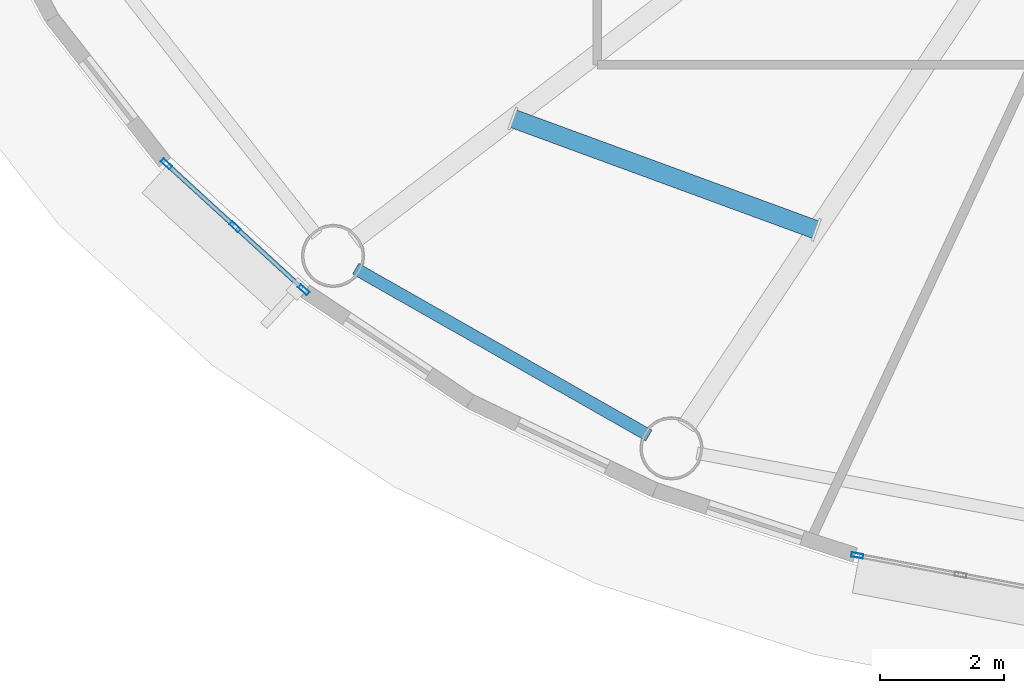
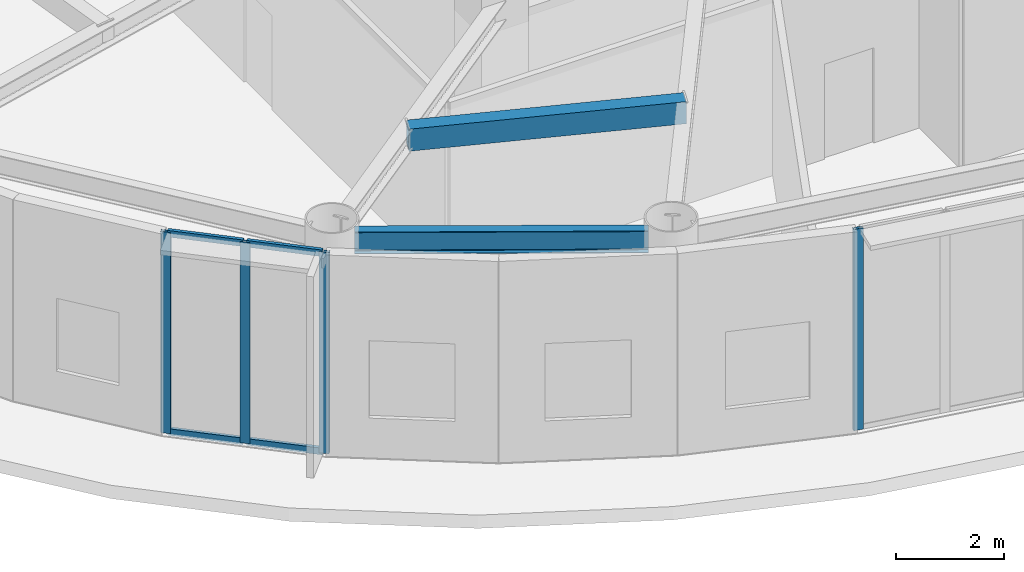
# One storey, part 3 of 32: 8 members, 2 beams, 2 elements without a shape of their own.
"""IFC4 building model written with IfcOpenShell, lengths in metres."""

from ifc_helpers import new_model, si_unit, direction, frame, origin, origin_2d, place, context, subcontext, project, spatial, hollow_rectangle, i_section, extrude, source, transform, mapped, material, layer, layer_set, material_profile, profile_set, type_object, element, aggregate, save


model = new_model("IFC4")

# Units and contexts
model_context = context("Model", 3, precision=1e-05, world=origin(), true_north=direction((0.0, 1.0)))
body_context = subcontext(model_context, "Body", "Model", "MODEL_VIEW")
ifc_project = project(units=[si_unit("LENGTHUNIT", "METRE"), si_unit("AREAUNIT", "SQUARE_METRE"), si_unit("VOLUMEUNIT", "CUBIC_METRE"), si_unit("PLANEANGLEUNIT", "RADIAN"), si_unit("MASSUNIT", "GRAM", prefix="KILO")], contexts=[model_context])

# Site, building, storey
site_placement = place(None, origin())
site = spatial("IfcSite", under=ifc_project, at=site_placement, CompositionType="ELEMENT")
building_placement = place(site_placement, origin())
building = spatial("IfcBuilding", under=site, at=building_placement, Name="Linh Dai School and Residence Tower", CompositionType="ELEMENT")
storey_placement = place(building_placement, frame((0.0, 0.0, 268.199951171875)))
storey = spatial("IfcBuildingStorey", under=building, at=storey_placement, Name="L66", CompositionType="ELEMENT", Elevation=268.199951171875)

# Beams
ifc_material_1 = material(Name="Structural Steel S355JR", Category="steel")
ifc_material_profile_1 = material_profile(ifc_material_1, hollow_rectangle(XDim=0.300048828125, YDim=0.5, WallThickness=0.01611328125, at=origin_2d()), Name="RHS 500x300x16")
ifc_profile_set_1 = profile_set([ifc_material_profile_1], Name="Structural Steel S355JR")
beam_type_1 = type_object("IfcBeamType", Name="BM-BX5", PredefinedType="BEAM", material=ifc_profile_set_1)
beam_1_placement = place(storey_placement, frame((23.5859375, 17.48388671875, 4.300048828125), z_axis=(0.938699136888, -0.344737480418, 0.0), x_axis=(0.344737480418, 0.938699136888, 0.0)))
element("IfcBeam", 1, at=beam_1_placement, inside=storey, type_object=beam_type_1, Name="L66 Secondary Circumferential Floor Beam 06", PredefinedType="BEAM", context=body_context, shape_type="SweptSolid", body=[
    extrude(hollow_rectangle(XDim=0.300048828125, YDim=0.5, WallThickness=0.01611328125, at=origin_2d()), origin(), (0.0, 0.0, 1.0), 5.21435546875),
])
ifc_material_profile_2 = material_profile(ifc_material_1, i_section(OverallWidth=0.199951171875, OverallDepth=0.5, WebThickness=0.01025390625, FlangeThickness=0.01611328125, FilletRadius=0.02099609375, at=origin_2d()), Name="IPE 500")
ifc_profile_set_2 = profile_set([ifc_material_profile_2], Name="Structural Steel S355JR")
beam_type_2 = type_object("IfcBeamType", Name="BM-RB50", PredefinedType="BEAM", material=ifc_profile_set_2)
beam_2_placement = place(storey_placement, frame((21.050048828125, 15.05908203125, 4.300048828125), z_axis=(0.869265548778, -0.494345431564, 0.0), x_axis=(0.494345431564, 0.869265548778, 0.0)))
element("IfcBeam", 2, at=beam_2_placement, inside=storey, type_object=beam_type_2, Name="L66 Perimeter Elliptical Ring Beam 11", PredefinedType="BEAM", context=body_context, shape_type="SweptSolid", body=[
    extrude(i_section(OverallWidth=0.199951171875, OverallDepth=0.5, WebThickness=0.01025390625, FlangeThickness=0.01611328125, FilletRadius=0.02099609375, at=origin_2d()), origin(), (0.0, 0.0, 1.0), 5.44189453125),
])

# Curtain wall, members
ifc_material_2 = material(Name="Aluminium Anodised Curtain Wall", Category="aluminium")
ifc_layer = layer(ifc_material_2, 0.18994140625)
ifc_layer_set = layer_set([ifc_layer], Name="Aluminium Anodised Curtain Wall")
curtain_wall_type = type_object("IfcCurtainWallType", Name="CW-SYS-5", PredefinedType="USERDEFINED", material=ifc_layer_set)
curtain_wall_1_placement = place(storey_placement, origin())
curtain_wall_1 = element("IfcCurtainWall", 3, at=curtain_wall_1_placement, inside=storey, type_object=curtain_wall_type, Name="L66 CW5 Curtain Wall 25", ObjectType="UNITISED CURTAIN WALL", PredefinedType="USERDEFINED")
ifc_material_3 = material(Name="Aluminium Alloy 6063-T6", Category="aluminium")
ifc_material_profile_3 = material_profile(ifc_material_3, hollow_rectangle(XDim=0.070068359375, YDim=0.18994140625, WallThickness=0.00390625, at=origin_2d()), Name="RHS 190x70x4")
ifc_profile_set_3 = profile_set([ifc_material_profile_3], Name="Aluminium Alloy 6063-T6")
member_type_1 = type_object("IfcMemberType", Name="CW-SYS-5-MUL", PredefinedType="MULLION", material=ifc_profile_set_3)
shared_shape_1 = source(origin(), body_context, "Body", "SweptSolid", [
    extrude(hollow_rectangle(XDim=0.070068359375, YDim=0.18994140625, WallThickness=0.00390625, at=origin_2d()), origin(), (0.0, 0.0, 1.0), 4.550048828125),
])
member_1_placement = place(storey_placement, frame((20.212158203125, 14.719482421875, 0.0), z_axis=(0.0, 0.0, 1.0), x_axis=(-0.675779074535, -0.737104227651, 0.0)))
member_1 = element("IfcMember", 4, at=member_1_placement, type_object=member_type_1, Name="CW5 mullion 1", PredefinedType="MULLION", context=body_context, shape_type="MappedRepresentation", body=[
    mapped(shared_shape_1, transform((0.0, 0.0, 0.0), x_axis=(1.0, 0.0, 0.0), y_axis=(0.0, 1.0, 0.0), z_axis=(0.0, 0.0, 1.0), scale=1.0)),
])
member_2_placement = place(storey_placement, frame((19.103759765625, 15.735595703125, 0.0), z_axis=(0.0, 0.0, 1.0), x_axis=(-0.675779074535, -0.737104227651, 0.0)))
member_2 = element("IfcMember", 5, at=member_2_placement, type_object=member_type_1, Name="CW5 mullion 2", PredefinedType="MULLION", context=body_context, shape_type="MappedRepresentation", body=[
    mapped(shared_shape_1, transform((0.0, 0.0, 0.0), x_axis=(1.0, 0.0, 0.0), y_axis=(0.0, 1.0, 0.0), z_axis=(0.0, 0.0, 1.0), scale=1.0)),
])
member_3_placement = place(storey_placement, frame((17.995361328125, 16.751708984375, 0.0), z_axis=(0.0, 0.0, 1.0), x_axis=(-0.675779074535, -0.737104227651, 0.0)))
member_3 = element("IfcMember", 6, at=member_3_placement, type_object=member_type_1, Name="CW5 mullion 3", PredefinedType="MULLION", context=body_context, shape_type="MappedRepresentation", body=[
    mapped(shared_shape_1, transform((0.0, 0.0, 0.0), x_axis=(1.0, 0.0, 0.0), y_axis=(0.0, 1.0, 0.0), z_axis=(0.0, 0.0, 1.0), scale=1.0)),
])

# Curtain wall, member
curtain_wall_2_placement = place(storey_placement, origin())
curtain_wall_2 = element("IfcCurtainWall", 7, at=curtain_wall_2_placement, inside=storey, type_object=curtain_wall_type, Name="L66 CW5 Curtain Wall 29", ObjectType="UNITISED CURTAIN WALL", PredefinedType="USERDEFINED")
member_4_placement = place(storey_placement, frame((29.143310546875, 10.43310546875, 0.0), z_axis=(0.0, 0.0, 1.0), x_axis=(-0.184751197452, -0.982785325002, 0.0)))
member_4 = element("IfcMember", 8, at=member_4_placement, type_object=member_type_1, Name="CW5 mullion 3", PredefinedType="MULLION", context=body_context, shape_type="MappedRepresentation", body=[
    mapped(shared_shape_1, transform((0.0, 0.0, 0.0), x_axis=(1.0, 0.0, 0.0), y_axis=(0.0, 1.0, 0.0), z_axis=(0.0, 0.0, 1.0), scale=1.0)),
])
aggregate(curtain_wall_2, [member_4])

# Member
ifc_material_profile_4 = material_profile(ifc_material_3, hollow_rectangle(XDim=0.070068359375, YDim=0.14990234375, WallThickness=0.00390625, at=origin_2d()), Name="RHS 150x70x4")
ifc_profile_set_4 = profile_set([ifc_material_profile_4], Name="Aluminium Alloy 6063-T6")
member_type_2 = type_object("IfcMemberType", Name="CW-SYS-5-TRN", PredefinedType="USERDEFINED", material=ifc_profile_set_4)
shared_shape_2 = source(origin(), body_context, "Body", "SweptSolid", [
    extrude(hollow_rectangle(XDim=0.070068359375, YDim=0.14990234375, WallThickness=0.00390625, at=origin_2d()), origin(), (0.0, 0.0, 1.0), 1.43359375),
])
member_5_placement = place(storey_placement, frame((20.186279296875, 14.7431640625, 0.03515625), z_axis=(-0.73709758216, 0.675786323015, 0.0), x_axis=(-0.675786323015, -0.73709758216, 0.0)))
member_5 = element("IfcMember", 9, at=member_5_placement, type_object=member_type_2, Name="CW5 transom 1.1", ObjectType="TRANSOM", PredefinedType="USERDEFINED", context=body_context, shape_type="MappedRepresentation", body=[
    mapped(shared_shape_2, transform((0.0, 0.0, 0.0), x_axis=(1.0, 0.0, 0.0), y_axis=(0.0, 1.0, 0.0), z_axis=(0.0, 0.0, 1.0), scale=1.0)),
])

member_6_placement = place(storey_placement, frame((20.186279296875, 14.7431640625, 4.51513671875), z_axis=(-0.73709758216, 0.675786323015, 0.0), x_axis=(-0.675786323015, -0.73709758216, 0.0)))
member_6 = element("IfcMember", 10, at=member_6_placement, type_object=member_type_2, Name="CW5 transom 1.2", ObjectType="TRANSOM", PredefinedType="USERDEFINED", context=body_context, shape_type="MappedRepresentation", body=[
    mapped(shared_shape_2, transform((0.0, 0.0, 0.0), x_axis=(1.0, 0.0, 0.0), y_axis=(0.0, 1.0, 0.0), z_axis=(0.0, 0.0, 1.0), scale=1.0)),
])

member_7_placement = place(storey_placement, frame((19.077880859375, 15.75927734375, 0.03515625), z_axis=(-0.73709758216, 0.675786323015, 0.0), x_axis=(-0.675786323015, -0.73709758216, 0.0)))
member_7 = element("IfcMember", 11, at=member_7_placement, type_object=member_type_2, Name="CW5 transom 2.1", ObjectType="TRANSOM", PredefinedType="USERDEFINED", context=body_context, shape_type="MappedRepresentation", body=[
    mapped(shared_shape_2, transform((0.0, 0.0, 0.0), x_axis=(1.0, 0.0, 0.0), y_axis=(0.0, 1.0, 0.0), z_axis=(0.0, 0.0, 1.0), scale=1.0)),
])

member_8_placement = place(storey_placement, frame((19.077880859375, 15.75927734375, 4.51513671875), z_axis=(-0.73709758216, 0.675786323015, 0.0), x_axis=(-0.675786323015, -0.73709758216, 0.0)))
member_8 = element("IfcMember", 12, at=member_8_placement, type_object=member_type_2, Name="CW5 transom 2.2", ObjectType="TRANSOM", PredefinedType="USERDEFINED", context=body_context, shape_type="MappedRepresentation", body=[
    mapped(shared_shape_2, transform((0.0, 0.0, 0.0), x_axis=(1.0, 0.0, 0.0), y_axis=(0.0, 1.0, 0.0), z_axis=(0.0, 0.0, 1.0), scale=1.0)),
])

aggregate(curtain_wall_1, [member_1, member_2, member_3, member_5, member_6, member_7, member_8])

save(model, "model.ifc")
